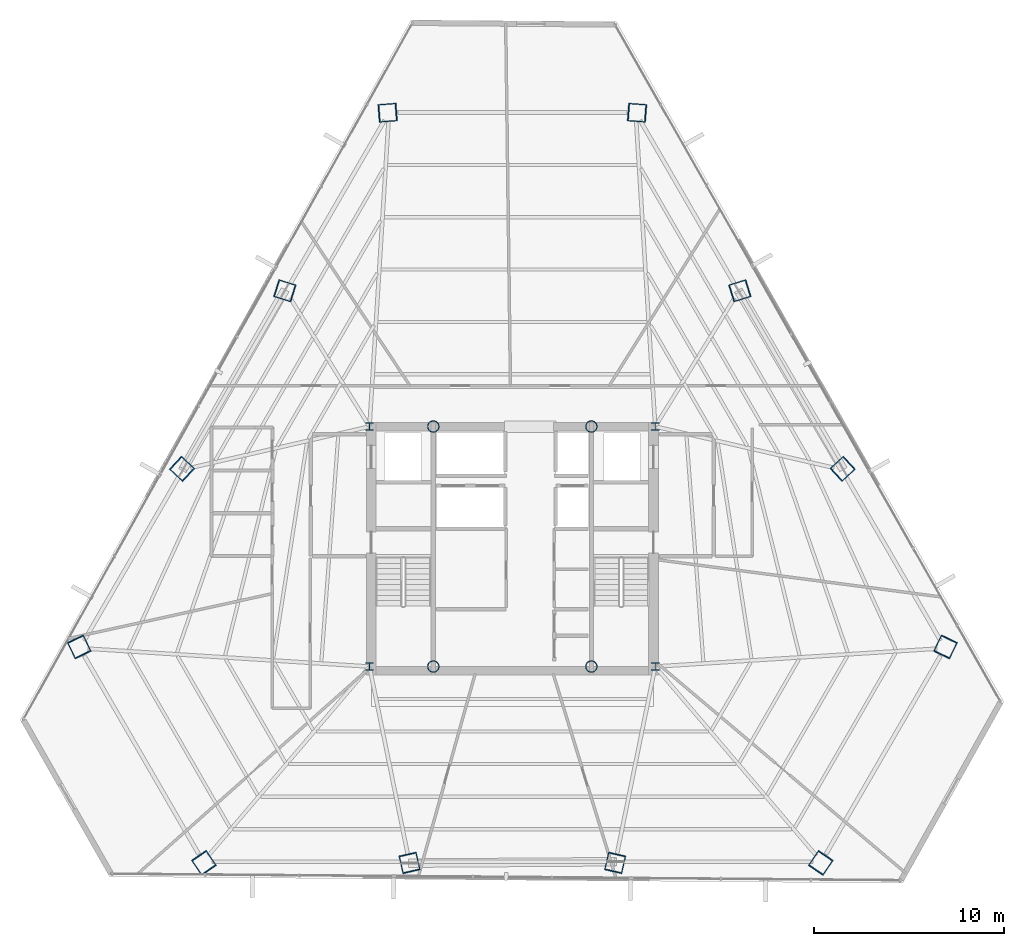
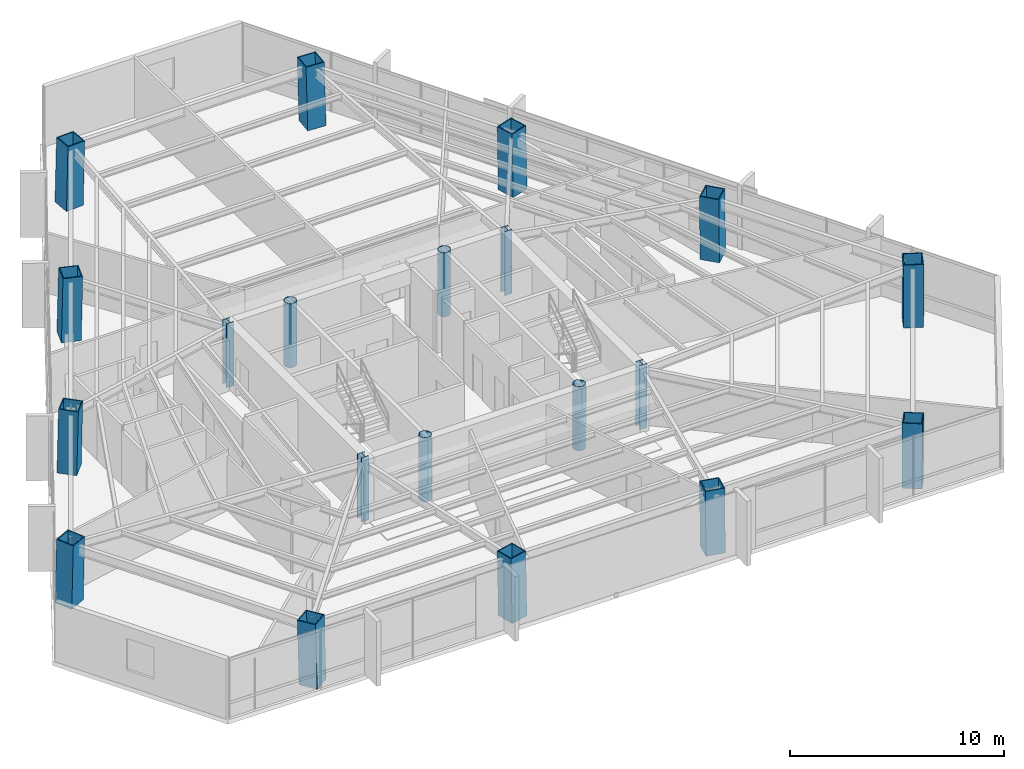
# One storey, part 1 of 39: 20 columns.
"""IFC4 building model written with IfcOpenShell, lengths in metres."""

from ifc_helpers import new_model, si_unit, direction, frame, origin, origin_2d, place, context, subcontext, project, spatial, hollow_rectangle, hollow_circle, i_section, extrude, source, transform, mapped, material, material_profile, profile_set, type_object, type_shapes, element, save


model = new_model("IFC4")

# Units and contexts
model_context = context("Model", 3, precision=1e-05, world=origin(), true_north=direction((0.0, 1.0)))
body_context = subcontext(model_context, "Body", "Model", "MODEL_VIEW")
ifc_project = project(units=[si_unit("LENGTHUNIT", "METRE"), si_unit("AREAUNIT", "SQUARE_METRE"), si_unit("VOLUMEUNIT", "CUBIC_METRE"), si_unit("PLANEANGLEUNIT", "RADIAN"), si_unit("MASSUNIT", "GRAM", prefix="KILO")], contexts=[model_context])

# Site, building, storey
site_placement = place(None, origin())
site = spatial("IfcSite", under=ifc_project, at=site_placement, CompositionType="ELEMENT")
building_placement = place(site_placement, origin())
building = spatial("IfcBuilding", under=site, at=building_placement, Name="Caelisora Broadcast Tower", CompositionType="ELEMENT")
storey_placement = place(building_placement, frame((0.0, 0.0, 142.75)))
storey = spatial("IfcBuildingStorey", under=building, at=storey_placement, Name="L37", CompositionType="ELEMENT", Elevation=142.75)

# Columns
ifc_material_1 = material(Name="Steel Grade 350 (AS/NZS 3679.2)", Category="steel")
ifc_material_profile_1 = material_profile(ifc_material_1, i_section(OverallWidth=0.39990234375, OverallDepth=0.39990234375, WebThickness=0.02001953125, FlangeThickness=0.031982421875, at=origin_2d()), Name="Steel Grade 350 (AS/NZS 3679.2)")
ifc_profile_set_1 = profile_set([ifc_material_profile_1], Name="Steel Grade 350 (AS/NZS 3679.2)")
column_type_1 = type_object("IfcColumnType", Name="CC02", PredefinedType="COLUMN", material=ifc_profile_set_1)
shared_shape_1 = source(origin(), body_context, "Body", "SweptSolid", [
    extrude(i_section(OverallWidth=0.39990234375, OverallDepth=0.39990234375, WebThickness=0.02001953125, FlangeThickness=0.031982421875, at=origin_2d()), origin(), (0.0, 0.0, 1.0), 3.64990234375),
])
type_shapes(column_type_1, [shared_shape_1])
for number, where, z_axis, x_axis, name in (
    (1, (30.5, 17.39990234375, 0.0), (0.0, 0.0, 1.0), (1.0, 0.0, 0.0), "L37 column CC02"),
    (2, (45.5, 17.39990234375, 0.0), (0.0, 0.0, 1.0), (1.0, 0.0, 0.0), "L37 column CC02"),
    (3, (45.5, 30.0, 0.0), (0.0, 0.0, 1.0), (1.0, 0.0, 0.0), "L37 column CC02"),
    (4, (30.5, 30.0, 0.0), (0.0, 0.0, 1.0), (1.0, 0.0, 0.0), "L37 column CC02"),
):
    element("IfcColumn", number, at=place(storey_placement, frame(where, z_axis=z_axis, x_axis=x_axis)), inside=storey, type_object=column_type_1, Name=name, PredefinedType="COLUMN", context=body_context, shape_type="MappedRepresentation", body=[
        mapped(shared_shape_1, transform((0.0, 0.0, 0.0), scale=1.0)),
    ])
ifc_material_2 = material(Name="Steel Grade 350 L15 (AS/NZS 3678)", Category="steel")
ifc_material_profile_2 = material_profile(ifc_material_2, hollow_circle(Radius=0.304931640625, WallThickness=0.02490234375, at=origin_2d()), Name="Steel Grade 350 L15 (AS/NZS 3678)")
ifc_profile_set_2 = profile_set([ifc_material_profile_2], Name="Steel Grade 350 L15 (AS/NZS 3678)")
column_type_2 = type_object("IfcColumnType", Name="CC06", PredefinedType="COLUMN", material=ifc_profile_set_2)
shared_shape_2 = source(origin(), body_context, "Body", "SweptSolid", [
    extrude(hollow_circle(Radius=0.304931640625, WallThickness=0.02490234375, at=origin_2d()), origin(), (0.0, 0.0, 1.0), 3.64990234375),
])
type_shapes(column_type_2, [shared_shape_2])
for number, where, z_axis, x_axis, name in (
    (5, (33.85009765625, 17.39990234375, 0.0), (0.0, 0.0, 1.0), (1.0, 0.0, 0.0), "L37 column CC06"),
    (6, (42.14990234375, 17.39990234375, 0.0), (0.0, 0.0, 1.0), (1.0, 0.0, 0.0), "L37 column CC06"),
    (7, (33.85009765625, 30.0, 0.0), (0.0, 0.0, 1.0), (1.0, 0.0, 0.0), "L37 column CC06"),
    (8, (42.14990234375, 30.0, 0.0), (0.0, 0.0, 1.0), (1.0, 0.0, 0.0), "L37 column CC06"),
):
    element("IfcColumn", number, at=place(storey_placement, frame(where, z_axis=z_axis, x_axis=x_axis)), inside=storey, type_object=column_type_2, Name=name, PredefinedType="COLUMN", context=body_context, shape_type="MappedRepresentation", body=[
        mapped(shared_shape_2, transform((0.0, 0.0, 0.0), scale=1.0)),
    ])
ifc_material_profile_3 = material_profile(ifc_material_2, hollow_rectangle(XDim=0.949951171875, YDim=0.949951171875, WallThickness=0.050048828125, at=origin_2d()), Name="Steel Grade 350 L15 (AS/NZS 3678)")
ifc_profile_set_3 = profile_set([ifc_material_profile_3], Name="Steel Grade 350 L15 (AS/NZS 3678)")
column_type_3 = type_object("IfcColumnType", Name="MC04", PredefinedType="COLUMN", material=ifc_profile_set_3)
shared_shape_3 = source(origin(), body_context, "Body", "SweptSolid", [
    extrude(hollow_rectangle(XDim=0.949951171875, YDim=0.949951171875, WallThickness=0.050048828125, at=origin_2d()), origin(), (0.0, 0.0, 1.0), 3.65087890625),
])
for number, where, z_axis, x_axis, name in (
    (9, (44.560791015625, 46.474609375, 0.0), (-0.023872754168, 0.001805502416, 0.999713374808), (-0.075414875552, -0.997152243414, 0.0), "L37 column MC04"),
    (10, (31.439208984375, 46.474609375, 0.0), (0.023872754168, 0.001805502416, 0.999713374808), (-0.075414875552, 0.997152243414, 0.0), "L37 column MC04"),
    (11, (15.256103515625, 18.444580078125, 0.0), (0.010364917199, -0.021599150033, 0.999712981415), (0.901566609123, 0.432640323264, 0.0), "L37 column MC04"),
    (12, (21.81689453125, 7.080810546875, 0.0), (-0.013507825582, 0.019793645407, 0.999712833893), (-0.825991119814, -0.563683129062, 0.0), "L37 column MC04"),
    (13, (54.18310546875, 7.080810546875, 0.0), (0.013507825582, 0.019793645407, 0.999712833893), (-0.825991119814, 0.563683129062, 0.0), "L37 column MC04"),
    (14, (60.743896484375, 18.444580078125, 0.0), (-0.010364917199, -0.021599150033, 0.999712981415), (0.901566609123, -0.432640323264, 0.0), "L37 column MC04"),
):
    element("IfcColumn", number, at=place(storey_placement, frame(where, z_axis=z_axis, x_axis=x_axis)), inside=storey, type_object=column_type_3, Name=name, PredefinedType="COLUMN", context=body_context, shape_type="MappedRepresentation", body=[
        mapped(shared_shape_3, transform((0.0, 0.0, 0.0), scale=1.0)),
    ])
shared_shape_4 = source(origin(), body_context, "Body", "SweptSolid", [
    extrude(hollow_rectangle(XDim=0.949951171875, YDim=0.949951171875, WallThickness=0.050048828125, at=origin_2d()), origin(), (0.0, 0.0, 1.0), 3.650634765625),
])
type_shapes(column_type_3, [shared_shape_3, shared_shape_4])
for number, where, z_axis, x_axis, name in (
    (15, (26.044921875, 37.13134765625, 0.0), (0.01932714267, -0.006018833358, 0.999795096608), (0.297334289079, 0.954773439376, 0.0), "L37 column MC04"),
    (16, (20.650390625, 27.787841796875, 0.0), (0.014913313399, -0.013776424037, 0.999793880369), (0.678553674548, 0.734550822447, 0.0), "L37 column MC04"),
    (17, (32.605712890625, 7.080810546875, 0.0), (-0.004547556686, 0.019795246753, 0.99979371269), (-0.974612694662, -0.223897510936, 0.0), "L37 column MC04"),
    (18, (43.394287109375, 7.080810546875, 0.0), (0.004547556686, 0.019795246753, 0.99979371269), (-0.974612694662, 0.223897510936, 0.0), "L37 column MC04"),
    (19, (55.349609375, 27.787841796875, 0.0), (-0.014913313399, -0.013776424037, 0.999793880369), (0.678553674548, -0.734550822447, 0.0), "L37 column MC04"),
    (20, (49.955078125, 37.13134765625, 0.0), (-0.01932714267, -0.006018833358, 0.999795096608), (0.297334289079, -0.954773439376, 0.0), "L37 column MC04"),
):
    element("IfcColumn", number, at=place(storey_placement, frame(where, z_axis=z_axis, x_axis=x_axis)), inside=storey, type_object=column_type_3, Name=name, PredefinedType="COLUMN", context=body_context, shape_type="MappedRepresentation", body=[
        mapped(shared_shape_4, transform((0.0, 0.0, 0.0), scale=1.0)),
    ])

save(model, "model.ifc")
